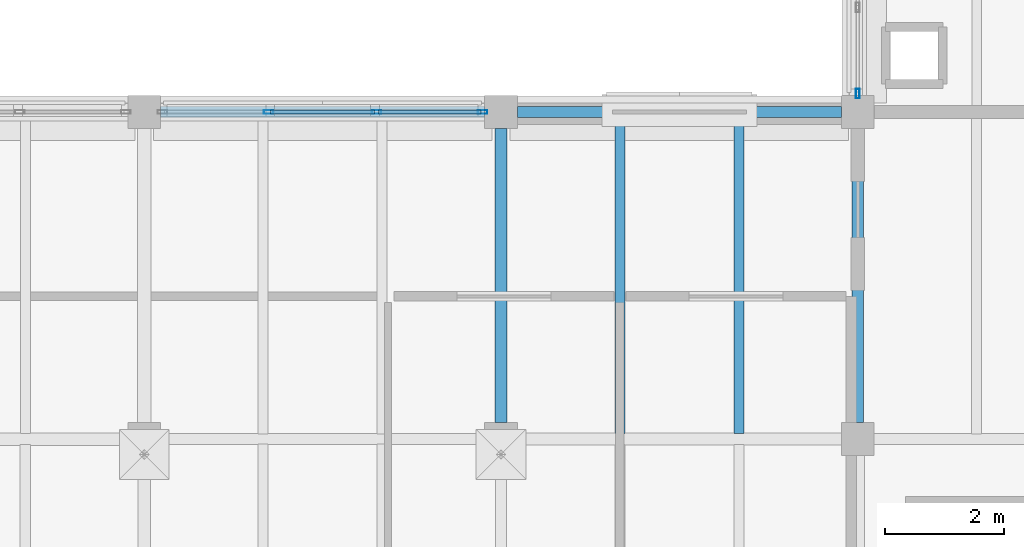
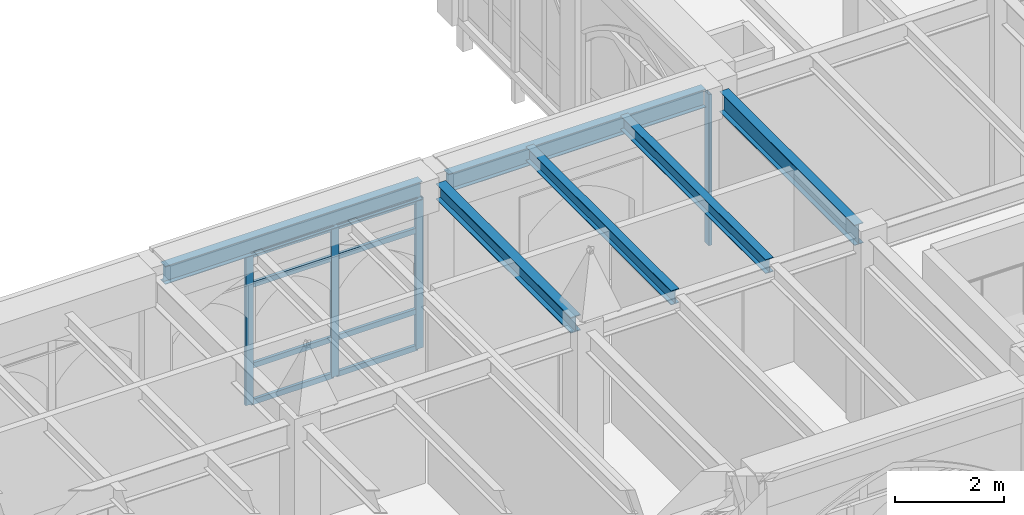
# One storey, part 26 of 108: 12 members, 6 beams, 2 elements without a shape of their own.
"""IFC4 building model written with IfcOpenShell, lengths in metres."""

from ifc_helpers import new_model, si_unit, direction, frame, origin, origin_2d, place, context, subcontext, project, spatial, hollow_rectangle, i_section, extrude, material, layer, layer_set, material_profile, profile_set, type_object, element, aggregate, save


model = new_model("IFC4")

# Units and contexts
model_context = context("Model", 3, precision=1e-05, world=origin(), true_north=direction((0.0, 1.0)))
body_context = subcontext(model_context, "Body", "Model", "MODEL_VIEW")
ifc_project = project(units=[si_unit("LENGTHUNIT", "METRE"), si_unit("AREAUNIT", "SQUARE_METRE"), si_unit("VOLUMEUNIT", "CUBIC_METRE"), si_unit("PLANEANGLEUNIT", "RADIAN"), si_unit("MASSUNIT", "GRAM", prefix="KILO")], contexts=[model_context])

# Site, building, storey
site_placement = place(None, origin())
site = spatial("IfcSite", under=ifc_project, at=site_placement, CompositionType="ELEMENT")
building_placement = place(site_placement, origin())
building = spatial("IfcBuilding", under=site, at=building_placement, Name="Cumevento Cable Car Station", CompositionType="ELEMENT")
storey_placement = place(building_placement, frame((0.0, 0.0, 13.5)))
storey = spatial("IfcBuildingStorey", under=building, at=storey_placement, Name="L04", CompositionType="ELEMENT", Elevation=13.5)

# Curtain wall, members
ifc_material_1 = material(Name="Anodised Bronze Aluminium AW-6063-T6", Category="aluminium")
ifc_layer_1 = layer(ifc_material_1, 0.25)
ifc_layer_set_1 = layer_set([ifc_layer_1], Name="Anodised Bronze Aluminium AW-6063-T6")
curtain_wall_type_1 = type_object("IfcCurtainWallType", Name="Lancet Curtain Wall CW-16 1650", PredefinedType="NOTDEFINED", material=ifc_layer_set_1)
curtain_wall_1_placement = place(storey_placement, origin())
curtain_wall_1 = element("IfcCurtainWall", 1, at=curtain_wall_1_placement, inside=storey, type_object=curtain_wall_type_1, Name="Lancet Curtain Wall CW-16 L04 #159", PredefinedType="NOTDEFINED")
ifc_material_2 = material(Name="Anodised Bronze Aluminium AW-6063-T6", Category="aluminium")
ifc_material_profile_1 = material_profile(ifc_material_2, hollow_rectangle(XDim=0.06494140625, YDim=0.159912109375, WallThickness=0.00390625, at=origin_2d()), Name="ALUM65x160x4")
ifc_profile_set_1 = profile_set([ifc_material_profile_1], Name="Anodised Bronze Aluminium AW-6063-T6")
member_type_1 = type_object("IfcMemberType", Name="Curtain Mullion CWM-01 ALUM65x160x4", PredefinedType="MULLION", material=ifc_profile_set_1)
member_1_placement = place(storey_placement, frame((42.091552734375, 56.5, 0.52001953125), z_axis=(0.0, 0.0, 1.0), x_axis=(0.0, 1.0, 0.0)))
member_1 = element("IfcMember", 2, at=member_1_placement, type_object=member_type_1, Name="CW-16 mullion 2", PredefinedType="MULLION", context=body_context, shape_type="SweptSolid", body=[
    extrude(hollow_rectangle(XDim=0.06494140625, YDim=0.159912109375, WallThickness=0.00390625, at=origin_2d()), origin(), (0.0, 0.0, 1.0), 3.361083984375),
])
member_2_placement = place(storey_placement, frame((43.908447265625, 56.5, 0.52001953125), z_axis=(0.0, 0.0, 1.0), x_axis=(0.0, 1.0, 0.0)))
member_2 = element("IfcMember", 3, at=member_2_placement, type_object=member_type_1, Name="CW-16 mullion 3", PredefinedType="MULLION", context=body_context, shape_type="SweptSolid", body=[
    extrude(hollow_rectangle(XDim=0.06494140625, YDim=0.159912109375, WallThickness=0.00390625, at=origin_2d()), origin(), (0.0, 0.0, 1.0), 3.361083984375),
])
member_3_placement = place(storey_placement, frame((45.6923828125, 56.5, 0.52001953125), z_axis=(0.0, 0.0, 1.0), x_axis=(0.0, 1.0, 0.0)))
member_3 = element("IfcMember", 4, at=member_3_placement, type_object=member_type_1, Name="CW-16 mullion 4", PredefinedType="MULLION", context=body_context, shape_type="SweptSolid", body=[
    extrude(hollow_rectangle(XDim=0.06494140625, YDim=0.159912109375, WallThickness=0.00390625, at=origin_2d()), origin(), (0.0, 0.0, 1.0), 3.361083984375),
])

# Curtain wall, member
ifc_material_3 = material(Name="Anodised Bronze Aluminium AW-6063-T6", Category="aluminium")
ifc_layer_2 = layer(ifc_material_3, 0.243896484375)
ifc_layer_set_2 = layer_set([ifc_layer_2], Name="Anodised Bronze Aluminium AW-6063-T6")
curtain_wall_type_2 = type_object("IfcCurtainWallType", Name="Lancet Curtain Wall CW-15 1610", PredefinedType="NOTDEFINED", material=ifc_layer_set_2)
curtain_wall_2_placement = place(storey_placement, origin())
curtain_wall_2 = element("IfcCurtainWall", 5, at=curtain_wall_2_placement, inside=storey, type_object=curtain_wall_type_2, Name="Lancet Curtain Wall CW-15 L04 #174", PredefinedType="NOTDEFINED")
member_4_placement = place(storey_placement, frame((52.0, 56.8076171875, 0.4599609375), z_axis=(0.0, 0.0, 1.0), x_axis=(-1.0, 0.0, 0.0)))
member_4 = element("IfcMember", 6, at=member_4_placement, type_object=member_type_1, Name="CW-15 mullion 1", PredefinedType="MULLION", context=body_context, shape_type="SweptSolid", body=[
    extrude(hollow_rectangle(XDim=0.06494140625, YDim=0.159912109375, WallThickness=0.00390625, at=origin_2d()), origin(), (0.0, 0.0, 1.0), 3.383056640625),
])
aggregate(curtain_wall_2, [member_4])

# Member
ifc_material_4 = material(Name="Anodised Bronze Aluminium AW-6063-T6", Category="aluminium")
ifc_material_profile_2 = material_profile(ifc_material_4, hollow_rectangle(XDim=0.06494140625, YDim=0.1201171875, WallThickness=0.00390625, at=origin_2d()), Name="ALUT65x120x4")
ifc_profile_set_2 = profile_set([ifc_material_profile_2], Name="Anodised Bronze Aluminium AW-6063-T6")
member_type_2 = type_object("IfcMemberType", Name="Curtain Transom CWT-01 ALUT65x120x4", PredefinedType="USERDEFINED", material=ifc_profile_set_2)
member_5_placement = place(storey_placement, frame((42.124267578125, 56.5, 0.552490234375), z_axis=(1.0, 0.0, 0.0), x_axis=(0.0, 1.0, 0.0)))
member_5 = element("IfcMember", 7, at=member_5_placement, type_object=member_type_2, Name="CW-16 transom 2.1", ObjectType="TRANSOM", PredefinedType="USERDEFINED", context=body_context, shape_type="SweptSolid", body=[
    extrude(hollow_rectangle(XDim=0.06494140625, YDim=0.1201171875, WallThickness=0.00390625, at=origin_2d()), origin(), (0.0, 0.0, 1.0), 1.75146484375),
])

member_6_placement = place(storey_placement, frame((42.124267578125, 56.5, 1.3701171875), z_axis=(1.0, 0.0, 0.0), x_axis=(0.0, 1.0, 0.0)))
member_6 = element("IfcMember", 8, at=member_6_placement, type_object=member_type_2, Name="CW-16 transom 2.2", ObjectType="TRANSOM", PredefinedType="USERDEFINED", context=body_context, shape_type="SweptSolid", body=[
    extrude(hollow_rectangle(XDim=0.06494140625, YDim=0.1201171875, WallThickness=0.00390625, at=origin_2d()), origin(), (0.0, 0.0, 1.0), 1.75146484375),
])

member_7_placement = place(storey_placement, frame((42.124267578125, 56.5, 3.180908203125), z_axis=(1.0, 0.0, 0.0), x_axis=(0.0, 1.0, 0.0)))
member_7 = element("IfcMember", 9, at=member_7_placement, type_object=member_type_2, Name="CW-16 transom 2.3", ObjectType="TRANSOM", PredefinedType="USERDEFINED", context=body_context, shape_type="SweptSolid", body=[
    extrude(hollow_rectangle(XDim=0.06494140625, YDim=0.1201171875, WallThickness=0.00390625, at=origin_2d()), origin(), (0.0, 0.0, 1.0), 1.75146484375),
])

member_8_placement = place(storey_placement, frame((42.124267578125, 56.5, 3.848388671875), z_axis=(1.0, 0.0, 0.0), x_axis=(0.0, 1.0, 0.0)))
member_8 = element("IfcMember", 10, at=member_8_placement, type_object=member_type_2, Name="CW-16 transom 2.4", ObjectType="TRANSOM", PredefinedType="USERDEFINED", context=body_context, shape_type="SweptSolid", body=[
    extrude(hollow_rectangle(XDim=0.06494140625, YDim=0.1201171875, WallThickness=0.00390625, at=origin_2d()), origin(), (0.0, 0.0, 1.0), 1.75146484375),
])

member_9_placement = place(storey_placement, frame((43.94091796875, 56.5, 0.552490234375), z_axis=(1.0, 0.0, 0.0), x_axis=(0.0, 1.0, 0.0)))
member_9 = element("IfcMember", 11, at=member_9_placement, type_object=member_type_2, Name="CW-16 transom 3.1", ObjectType="TRANSOM", PredefinedType="USERDEFINED", context=body_context, shape_type="SweptSolid", body=[
    extrude(hollow_rectangle(XDim=0.06494140625, YDim=0.1201171875, WallThickness=0.00390625, at=origin_2d()), origin(), (0.0, 0.0, 1.0), 1.718994140625),
])

member_10_placement = place(storey_placement, frame((43.94091796875, 56.5, 1.3701171875), z_axis=(1.0, 0.0, 0.0), x_axis=(0.0, 1.0, 0.0)))
member_10 = element("IfcMember", 12, at=member_10_placement, type_object=member_type_2, Name="CW-16 transom 3.2", ObjectType="TRANSOM", PredefinedType="USERDEFINED", context=body_context, shape_type="SweptSolid", body=[
    extrude(hollow_rectangle(XDim=0.06494140625, YDim=0.1201171875, WallThickness=0.00390625, at=origin_2d()), origin(), (0.0, 0.0, 1.0), 1.718994140625),
])

member_11_placement = place(storey_placement, frame((43.94091796875, 56.5, 3.180908203125), z_axis=(1.0, 0.0, 0.0), x_axis=(0.0, 1.0, 0.0)))
member_11 = element("IfcMember", 13, at=member_11_placement, type_object=member_type_2, Name="CW-16 transom 3.3", ObjectType="TRANSOM", PredefinedType="USERDEFINED", context=body_context, shape_type="SweptSolid", body=[
    extrude(hollow_rectangle(XDim=0.06494140625, YDim=0.1201171875, WallThickness=0.00390625, at=origin_2d()), origin(), (0.0, 0.0, 1.0), 1.718994140625),
])

member_12_placement = place(storey_placement, frame((43.94091796875, 56.5, 3.848388671875), z_axis=(1.0, 0.0, 0.0), x_axis=(0.0, 1.0, 0.0)))
member_12 = element("IfcMember", 14, at=member_12_placement, type_object=member_type_2, Name="CW-16 transom 3.4", ObjectType="TRANSOM", PredefinedType="USERDEFINED", context=body_context, shape_type="SweptSolid", body=[
    extrude(hollow_rectangle(XDim=0.06494140625, YDim=0.1201171875, WallThickness=0.00390625, at=origin_2d()), origin(), (0.0, 0.0, 1.0), 1.718994140625),
])

aggregate(curtain_wall_1, [member_1, member_2, member_3, member_5, member_6, member_7, member_8, member_9, member_10, member_11, member_12])

# Beams
ifc_material_5 = material(Name="Steel ASTM A572 Grade 50", Category="steel")
ifc_material_profile_3 = material_profile(ifc_material_5, i_section(OverallWidth=0.18994140625, OverallDepth=0.45703125, WebThickness=0.009033203125, FlangeThickness=0.014404296875, at=origin_2d()), Name="W460x74.0")
ifc_profile_set_3 = profile_set([ifc_material_profile_3], Name="Steel ASTM A572 Grade 50")
beam_type_1 = type_object("IfcBeamType", Name="Structural Beam BM-04 W460x74.0", PredefinedType="BEAM", material=ifc_profile_set_3)
beam_1_placement = place(storey_placement, frame((52.0, 51.27490234375, 4.021484375), z_axis=(0.0, 1.0, 0.0), x_axis=(-1.0, 0.0, 0.0)))
element("IfcBeam", 15, at=beam_1_placement, inside=storey, type_object=beam_type_1, Name="Beam BM-04 L04 #1403", PredefinedType="BEAM", context=body_context, shape_type="SweptSolid", body=[
    extrude(i_section(OverallWidth=0.18994140625, OverallDepth=0.45703125, WebThickness=0.009033203125, FlangeThickness=0.014404296875, at=origin_2d()), origin(), (0.0, 0.0, 1.0), 4.9501953125),
])
ifc_material_6 = material(Name="Steel ASTM A572 Grade 50", Category="steel")
ifc_material_profile_4 = material_profile(ifc_material_6, i_section(OverallWidth=0.205078125, OverallDepth=0.35400390625, WebThickness=0.009521484375, FlangeThickness=0.016845703125, at=origin_2d()), Name="W360x79.0")
ifc_profile_set_4 = profile_set([ifc_material_profile_4], Name="Steel ASTM A572 Grade 50")
beam_type_2 = type_object("IfcBeamType", Name="Structural Beam BM-05 W360x79.0", PredefinedType="BEAM", material=ifc_profile_set_4)
beam_2_placement = place(storey_placement, frame((46.0, 51.27490234375, 4.111083984375), z_axis=(0.0, 1.0, 0.0), x_axis=(-1.0, 0.0, 0.0)))
element("IfcBeam", 16, at=beam_2_placement, inside=storey, type_object=beam_type_2, Name="Beam BM-05 L04 #1401", PredefinedType="BEAM", context=body_context, shape_type="SweptSolid", body=[
    extrude(i_section(OverallWidth=0.205078125, OverallDepth=0.35400390625, WebThickness=0.009521484375, FlangeThickness=0.016845703125, at=origin_2d()), origin(), (0.0, 0.0, 1.0), 4.9501953125),
])
ifc_material_7 = material(Name="Steel ASTM A572 Grade 50", Category="steel")
ifc_material_profile_5 = material_profile(ifc_material_7, i_section(OverallWidth=0.1669921875, OverallDepth=0.31689453125, WebThickness=0.007568359375, FlangeThickness=0.01318359375, at=origin_2d()), Name="W310x52.0")
ifc_profile_set_5 = profile_set([ifc_material_profile_5], Name="Steel ASTM A572 Grade 50")
beam_type_3 = type_object("IfcBeamType", Name="Structural Joist JS-02 W310x52.0", PredefinedType="JOIST", material=ifc_profile_set_5)
for number, where, z_axis, x_axis, name in (
    (17, (48.0, 51.090576171875, 4.12939453125), (0.0, 1.0, 0.0), (-1.0, 0.0, 0.0), "Composite Floor Joist JS-02 L04 #1528"),
    (18, (50.0, 51.090576171875, 4.12939453125), (0.0, 1.0, 0.0), (-1.0, 0.0, 0.0), "Composite Floor Joist JS-02 L04 #1530"),
):
    element("IfcBeam", number, at=place(storey_placement, frame(where, z_axis=z_axis, x_axis=x_axis)), inside=storey, type_object=beam_type_3, Name=name, PredefinedType="JOIST", context=body_context, shape_type="SweptSolid", body=[
        extrude(i_section(OverallWidth=0.1669921875, OverallDepth=0.31689453125, WebThickness=0.007568359375, FlangeThickness=0.01318359375, at=origin_2d()), origin(), (0.0, 0.0, 1.0), 5.33251953125),
    ])
ifc_material_8 = material(Name="Steel ASTM A572 Grade 50", Category="steel")
ifc_material_profile_6 = material_profile(ifc_material_8, i_section(OverallWidth=0.177978515625, OverallDepth=0.406982421875, WebThickness=0.0078125, FlangeThickness=0.0126953125, at=origin_2d()), Name="W410x60.0")
ifc_profile_set_6 = profile_set([ifc_material_profile_6], Name="Steel ASTM A572 Grade 50")
beam_type_4 = type_object("IfcBeamType", Name="Structural Spandrel SP-01 W410x60.0", PredefinedType="SPANDREL", material=ifc_profile_set_6)
for number, where, z_axis, x_axis, name in (
    (19, (40.27490234375, 56.5, 4.08447265625), (1.0, 0.0, 0.0), (0.0, 1.0, 0.0), "Beam SP-01 L04 #1390"),
    (20, (46.27490234375, 56.5, 4.04638671875), (1.0, 0.0, 0.0), (0.0, 1.0, 0.0), "Beam SP-01 L04 #1391"),
):
    element("IfcBeam", number, at=place(storey_placement, frame(where, z_axis=z_axis, x_axis=x_axis)), inside=storey, type_object=beam_type_4, Name=name, PredefinedType="SPANDREL", context=body_context, shape_type="SweptSolid", body=[
        extrude(i_section(OverallWidth=0.177978515625, OverallDepth=0.406982421875, WebThickness=0.0078125, FlangeThickness=0.0126953125, at=origin_2d()), origin(), (0.0, 0.0, 1.0), 5.4501953125),
    ])

save(model, "model.ifc")
